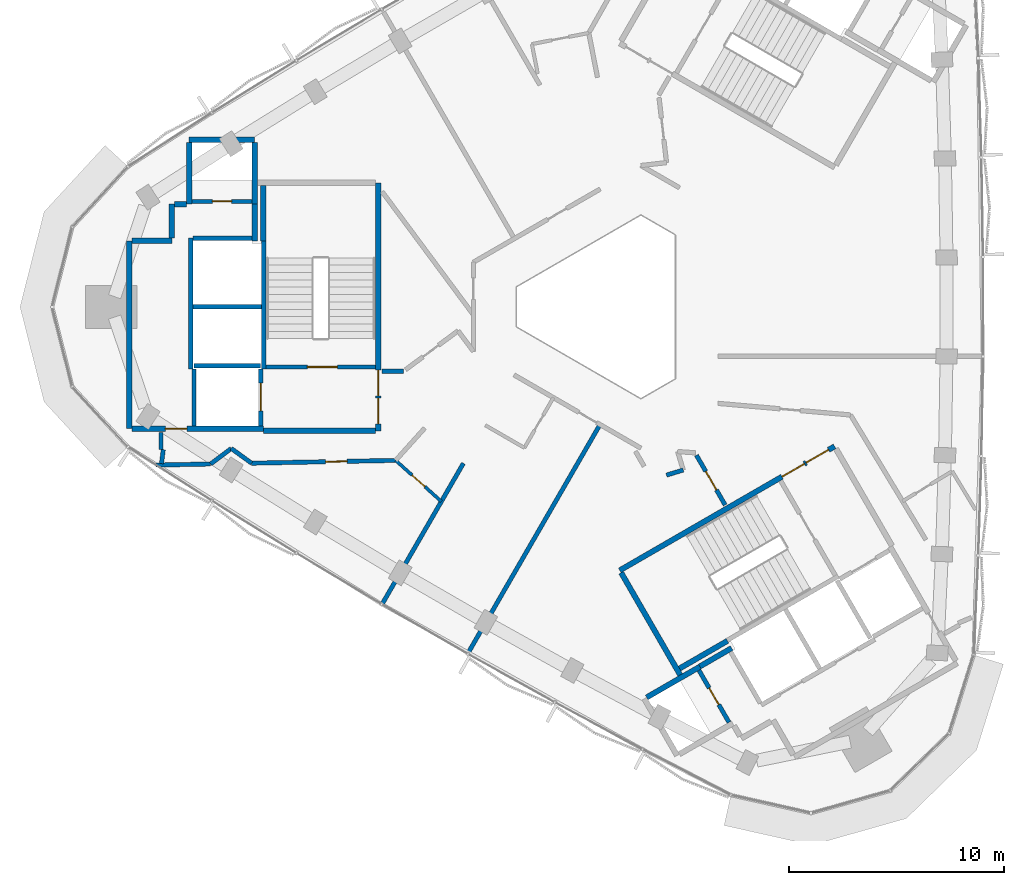
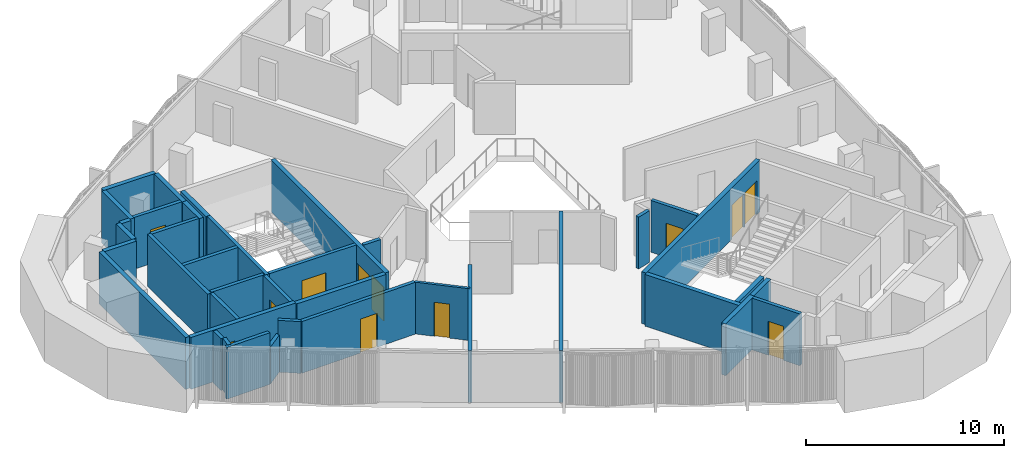
# One storey, part 6 of 13: 39 walls, 12 doors, 12 openings.
"""IFC4 building model written with IfcOpenShell, lengths in metres."""

from ifc_helpers import new_model, si_unit, direction, frame, frame_2d, origin, place, context, subcontext, project, spatial, rectangle, extrude, material, layer, layer_set, type_object, element, fill, save


model = new_model("IFC4")

# Units and contexts
model_context = context("Model", 3, precision=1e-05, world=origin(), true_north=direction((0.0, 1.0)))
body_context = subcontext(model_context, "Body", "Model", "MODEL_VIEW")
ifc_project = project(units=[si_unit("LENGTHUNIT", "METRE"), si_unit("AREAUNIT", "SQUARE_METRE"), si_unit("VOLUMEUNIT", "CUBIC_METRE"), si_unit("PLANEANGLEUNIT", "RADIAN"), si_unit("MASSUNIT", "GRAM", prefix="KILO")], contexts=[model_context])

# Site, building, storey
site_placement = place(None, origin())
site = spatial("IfcSite", under=ifc_project, at=site_placement, CompositionType="ELEMENT")
building_placement = place(site_placement, origin())
building = spatial("IfcBuilding", under=site, at=building_placement, Name="Tamra Quay Hotel Tower", CompositionType="ELEMENT")
storey_placement = place(building_placement, frame((0.0, 0.0, 298.199951171875)))
storey = spatial("IfcBuildingStorey", under=building, at=storey_placement, Name="L75", CompositionType="ELEMENT", Elevation=298.199951171875)

# Walls
ifc_material_1 = material(Name="Concrete M70", Category="concrete")
ifc_layer_1 = layer(ifc_material_1, 0.199951171875)
ifc_layer_set_1 = layer_set([ifc_layer_1], Name="Concrete M70 core wall 200")
wall_type_1 = type_object("IfcWallType", Name="Concrete M70 core wall 200", PredefinedType="SHEAR", material=ifc_layer_set_1)
wall_1_placement = place(storey_placement, frame((-16.162109375, 3.073974609375, 0.0), z_axis=(0.0, 0.0, 1.0), x_axis=(0.0, -1.0, 0.0)))
element("IfcWall", 1, at=wall_1_placement, inside=storey, type_object=wall_type_1, Name="CW2", PredefinedType="SHEAR", context=body_context, shape_type="SweptSolid", body=[
    extrude(rectangle(XDim=5.97412109375, YDim=0.199951171875, at=frame_2d((2.987060546875, 0.0))), origin(), (0.0, 0.0, 1.0), 3.199951171875),
])
wall_2_placement = place(storey_placement, frame((-19.5625, -2.900146484375, 0.0), z_axis=(0.0, 0.0, 1.0), x_axis=(0.0, 1.0, 0.0)))
element("IfcWall", 2, at=wall_2_placement, inside=storey, type_object=wall_type_1, Name="CW2", PredefinedType="SHEAR", context=body_context, shape_type="SweptSolid", body=[
    extrude(rectangle(XDim=6.100341796875, YDim=0.199951171875, at=frame_2d((3.05029296875, 0.0))), origin(), (0.0, 0.0, 1.0), 3.199951171875),
])

# Wall, opening, door
wall_3_placement = place(storey_placement, frame((-10.96337890625, -2.800048828125, 0.0), z_axis=(0.0, 0.0, 1.0), x_axis=(-1.0, 0.0, 0.0)))
wall_3 = element("IfcWall", 3, at=wall_3_placement, inside=storey, type_object=wall_type_1, Name="CW2", PredefinedType="SHEAR", context=body_context, shape_type="SweptSolid", body=[
    extrude(rectangle(XDim=5.097900390625, YDim=0.199951171875, at=frame_2d((2.548828125, 0.0))), origin(), (0.0, 0.0, 1.0), 3.199951171875),
])
opening_1_placement = place(wall_3_placement, frame((1.77392578125, 0.0, 0.0)))
opening_1 = element("IfcOpeningElement", 4, at=opening_1_placement, cuts=wall_3, Name="Opening FD2", PredefinedType="OPENING", context=body_context, shape_type="SweptSolid", body=[
    extrude(rectangle(XDim=1.39990234375, YDim=2.10009765625, at=frame_2d((0.699951171875, 1.050048828125))), frame((0.0, 0.10986328125, 0.0), z_axis=(0.0, -1.0, 0.0), x_axis=(1.0, 0.0, 0.0)), (0.0, 0.0, 1.0), 0.219970703125),
])
ifc_material_2 = material(Name="Core door FD2 1400x2100 LH")
door_type_1 = type_object("IfcDoorType", Name="Core door FD2 1400x2100 LH", OperationType="NOTDEFINED", PredefinedType="DOOR", material=ifc_material_2)
door_1_placement = place(opening_1_placement, origin())
door_1 = element("IfcDoor", 5, at=door_1_placement, inside=storey, type_object=door_type_1, Name="FD2", OperationType="SINGLE_SWING_LEFT", OverallHeight=2.10009765625, OverallWidth=1.39990234375, PredefinedType="DOOR", context=body_context, shape_type="SweptSolid", body=[
    extrude(rectangle(XDim=1.39990234375, YDim=2.10009765625, at=frame_2d((0.699951171875, 1.050048828125))), frame((0.0, 0.02490234375, 0.0), z_axis=(0.0, -1.0, 0.0), x_axis=(1.0, 0.0, 0.0)), (0.0, 0.0, 1.0), 0.050048828125),
])
fill(opening_1, door_1)

# Wall
wall_4_placement = place(storey_placement, frame((-16.26318359375, 0.0, 0.0), z_axis=(0.0, 0.0, 1.0), x_axis=(-1.0, 0.0, 0.0)))
element("IfcWall", 6, at=wall_4_placement, inside=storey, type_object=wall_type_1, Name="CW2", PredefinedType="SHEAR", context=body_context, shape_type="SweptSolid", body=[
    extrude(rectangle(XDim=3.1982421875, YDim=0.199951171875, at=frame_2d((1.59912109375, 0.0))), origin(), (0.0, 0.0, 1.0), 3.199951171875),
])

# Wall, opening, door
wall_5_placement = place(storey_placement, frame((-19.51123046875, 4.91015625, 0.0), z_axis=(0.0, 0.0, 1.0), x_axis=(1.0, 0.0, 0.0)))
wall_5 = element("IfcWall", 7, at=wall_5_placement, inside=storey, type_object=wall_type_1, Name="CW2", PredefinedType="SHEAR", context=body_context, shape_type="SweptSolid", body=[
    extrude(rectangle(XDim=2.7978515625, YDim=0.199951171875, at=frame_2d((1.39892578125, 0.0))), origin(), (0.0, 0.0, 1.0), 3.199951171875),
])
opening_2_placement = place(wall_5_placement, frame((0.948974609375, 0.0, 0.0)))
opening_2 = element("IfcOpeningElement", 8, at=opening_2_placement, cuts=wall_5, Name="Opening D1", PredefinedType="OPENING", context=body_context, shape_type="SweptSolid", body=[
    extrude(rectangle(XDim=0.89990234375, YDim=2.10009765625, at=frame_2d((0.449951171875, 1.050048828125))), frame((0.0, 0.10986328125, 0.0), z_axis=(0.0, -1.0, 0.0), x_axis=(1.0, 0.0, 0.0)), (0.0, 0.0, 1.0), 0.219970703125),
])
ifc_material_3 = material(Name="Core door D1 900x2100 RH")
door_type_2 = type_object("IfcDoorType", Name="Core door D1 900x2100 RH", OperationType="NOTDEFINED", PredefinedType="DOOR", material=ifc_material_3)
door_2_placement = place(opening_2_placement, origin())
door_2 = element("IfcDoor", 9, at=door_2_placement, inside=storey, type_object=door_type_2, Name="D1", OperationType="SINGLE_SWING_RIGHT", OverallHeight=2.10009765625, OverallWidth=0.89990234375, PredefinedType="DOOR", context=body_context, shape_type="SweptSolid", body=[
    extrude(rectangle(XDim=0.89990234375, YDim=2.10009765625, at=frame_2d((0.449951171875, 1.050048828125))), frame((0.0, 0.02490234375, 0.0), z_axis=(0.0, -1.0, 0.0), x_axis=(1.0, 0.0, 0.0)), (0.0, 0.0, 1.0), 0.050048828125),
])
fill(opening_2, door_2)

# Walls
wall_6_placement = place(storey_placement, frame((-19.46240234375, 3.2001953125, 0.0), z_axis=(0.0, 0.0, 1.0), x_axis=(1.0, 0.0, 0.0)))
element("IfcWall", 10, at=wall_6_placement, inside=storey, type_object=wall_type_1, Name="CW2", PredefinedType="SHEAR", context=body_context, shape_type="SweptSolid", body=[
    extrude(rectangle(XDim=2.759033203125, YDim=0.199951171875, at=frame_2d((1.37939453125, 0.0))), origin(), (0.0, 0.0, 1.0), 3.199951171875),
])
wall_7_placement = place(storey_placement, frame((-19.412353515625, -2.75, 0.0), z_axis=(0.0, 0.0, 1.0), x_axis=(1.0, 0.0, 0.0)))
element("IfcWall", 11, at=wall_7_placement, inside=storey, type_object=wall_type_1, Name="CW2", PredefinedType="SHEAR", context=body_context, shape_type="SweptSolid", body=[
    extrude(rectangle(XDim=3.10009765625, YDim=0.199951171875, at=frame_2d((1.550048828125, 0.0))), origin(), (0.0, 0.0, 1.0), 3.199951171875),
])

# Wall, opening, door
wall_8_placement = place(storey_placement, frame((-16.312255859375, -2.898193359375, 0.0), z_axis=(0.0, 0.0, 1.0), x_axis=(0.0, -1.0, 0.0)))
wall_8 = element("IfcWall", 12, at=wall_8_placement, inside=storey, type_object=wall_type_1, Name="CW2", PredefinedType="SHEAR", context=body_context, shape_type="SweptSolid", body=[
    extrude(rectangle(XDim=2.65087890625, YDim=0.199951171875, at=frame_2d((1.325439453125, 0.0))), origin(), (0.0, 0.0, 1.0), 3.199951171875),
])
opening_3_placement = place(wall_8_placement, frame((0.65185546875, 0.0, 0.0)))
opening_3 = element("IfcOpeningElement", 13, at=opening_3_placement, cuts=wall_8, Name="Opening LD", PredefinedType="OPENING", context=body_context, shape_type="SweptSolid", body=[
    extrude(rectangle(XDim=1.300048828125, YDim=2.10009765625, at=frame_2d((0.64990234375, 1.050048828125))), frame((0.0, 0.10986328125, 0.0), z_axis=(0.0, -1.0, 0.0), x_axis=(1.0, 0.0, 0.0)), (0.0, 0.0, 1.0), 0.219970703125),
])
ifc_material_4 = material(Name="Landing door LD 1300 sliding to left")
door_type_3 = type_object("IfcDoorType", Name="Landing door LD 1300 sliding to left", OperationType="NOTDEFINED", PredefinedType="DOOR", material=ifc_material_4)
door_3_placement = place(opening_3_placement, origin())
door_3 = element("IfcDoor", 14, at=door_3_placement, inside=storey, type_object=door_type_3, Name="LD", OperationType="SLIDING_TO_LEFT", OverallHeight=2.10009765625, OverallWidth=1.300048828125, PredefinedType="DOOR", context=body_context, shape_type="SweptSolid", body=[
    extrude(rectangle(XDim=1.300048828125, YDim=2.10009765625, at=frame_2d((0.64990234375, 1.050048828125))), frame((0.0, 0.02490234375, 0.0), z_axis=(0.0, -1.0, 0.0), x_axis=(1.0, 0.0, 0.0)), (0.0, 0.0, 1.0), 0.050048828125),
])
fill(opening_3, door_3)

# Wall
wall_9_placement = place(storey_placement, frame((-19.412353515625, -5.549072265625, 0.0), z_axis=(0.0, 0.0, 1.0), x_axis=(0.0, 1.0, 0.0)))
element("IfcWall", 15, at=wall_9_placement, inside=storey, type_object=wall_type_1, Name="CW2", PredefinedType="SHEAR", context=body_context, shape_type="SweptSolid", body=[
    extrude(rectangle(XDim=2.65087890625, YDim=0.199951171875, at=frame_2d((1.325439453125, 0.0))), origin(), (0.0, 0.0, 1.0), 3.199951171875),
])

# Wall, opening, door
wall_10_placement = place(storey_placement, frame((5.50341796875, -19.352294921875, 0.0), z_axis=(0.0, 0.0, 1.0), x_axis=(-0.499986818241, 0.866033014143, 0.0)))
wall_10 = element("IfcWall", 16, at=wall_10_placement, inside=storey, type_object=wall_type_1, Name="CW2", PredefinedType="SHEAR", context=body_context, shape_type="SweptSolid", body=[
    extrude(rectangle(XDim=2.7978515625, YDim=0.199951171875, at=frame_2d((1.39892578125, 0.0))), origin(), (0.0, 0.0, 1.0), 3.199951171875),
])
opening_4_placement = place(wall_10_placement, frame((0.948974609375, 0.0, 0.0)))
opening_4 = element("IfcOpeningElement", 17, at=opening_4_placement, cuts=wall_10, Name="Opening D1", PredefinedType="OPENING", context=body_context, shape_type="SweptSolid", body=[
    extrude(rectangle(XDim=0.89990234375, YDim=2.10009765625, at=frame_2d((0.449951171875, 1.050048828125))), frame((0.0, 0.10986328125, 0.0), z_axis=(0.0, -1.0, 0.0), x_axis=(1.0, 0.0, 0.0)), (0.0, 0.0, 1.0), 0.219970703125),
])
ifc_material_5 = material(Name="Core door D1 900x2100 LH")
door_type_4 = type_object("IfcDoorType", Name="Core door D1 900x2100 LH", OperationType="NOTDEFINED", PredefinedType="DOOR", material=ifc_material_5)
door_4_placement = place(opening_4_placement, origin())
door_4 = element("IfcDoor", 18, at=door_4_placement, inside=storey, type_object=door_type_4, Name="D1", OperationType="SINGLE_SWING_LEFT", OverallHeight=2.10009765625, OverallWidth=0.89990234375, PredefinedType="DOOR", context=body_context, shape_type="SweptSolid", body=[
    extrude(rectangle(XDim=0.89990234375, YDim=2.10009765625, at=frame_2d((0.449951171875, 1.050048828125))), frame((0.0, 0.02490234375, 0.0), z_axis=(0.0, -1.0, 0.0), x_axis=(1.0, 0.0, 0.0)), (0.0, 0.0, 1.0), 0.050048828125),
])
fill(opening_4, door_4)

# Wall, openings, doors
ifc_layer_2 = layer(ifc_material_1, 0.25)
ifc_layer_set_2 = layer_set([ifc_layer_2], Name="Concrete M70 core wall 250")
wall_type_2 = type_object("IfcWallType", Name="Concrete M70 core wall 250", PredefinedType="SHEAR", material=ifc_layer_set_2)
wall_11_placement = place(storey_placement, frame((-10.83740234375, 5.77490234375, 0.0), z_axis=(0.0, 0.0, 1.0), x_axis=(0.0, -1.0, 0.0)))
wall_11 = element("IfcWall", 19, at=wall_11_placement, inside=storey, type_object=wall_type_2, Name="CW1", PredefinedType="SHEAR", context=body_context, shape_type="SweptSolid", body=[
    extrude(rectangle(XDim=11.5498046875, YDim=0.25, at=frame_2d((5.77490234375, 0.0))), origin(), (0.0, 0.0, 1.0), 3.199951171875),
])
opening_5_placement = place(wall_11_placement, frame((10.02490234375, 0.0, 0.0)))
opening_5 = element("IfcOpeningElement", 20, at=opening_5_placement, cuts=wall_11, Name="Opening FD1", PredefinedType="OPENING", context=body_context, shape_type="SweptSolid", body=[
    extrude(rectangle(XDim=1.199951171875, YDim=2.10009765625, at=frame_2d((0.60009765625, 1.050048828125))), frame((0.0, 0.135009765625, 0.0), z_axis=(0.0, -1.0, 0.0), x_axis=(1.0, 0.0, 0.0)), (0.0, 0.0, 1.0), 0.27001953125),
])
opening_6_placement = place(wall_11_placement, frame((8.72509765625, 0.0, 0.0)))
opening_6 = element("IfcOpeningElement", 21, at=opening_6_placement, cuts=wall_11, Name="Opening FD1", PredefinedType="OPENING", context=body_context, shape_type="SweptSolid", body=[
    extrude(rectangle(XDim=1.199951171875, YDim=2.10009765625, at=frame_2d((0.60009765625, 1.050048828125))), frame((0.0, 0.135009765625, 0.0), z_axis=(0.0, -1.0, 0.0), x_axis=(1.0, 0.0, 0.0)), (0.0, 0.0, 1.0), 0.27001953125),
])
ifc_material_6 = material(Name="Core door FD1 1200x2100 LH")
door_type_5 = type_object("IfcDoorType", Name="Core door FD1 1200x2100 LH", OperationType="NOTDEFINED", PredefinedType="DOOR", material=ifc_material_6)
door_5_placement = place(opening_5_placement, origin())
door_5 = element("IfcDoor", 22, at=door_5_placement, inside=storey, type_object=door_type_5, Name="FD1", OperationType="SINGLE_SWING_LEFT", OverallHeight=2.10009765625, OverallWidth=1.199951171875, PredefinedType="DOOR", context=body_context, shape_type="SweptSolid", body=[
    extrude(rectangle(XDim=1.199951171875, YDim=2.10009765625, at=frame_2d((0.60009765625, 1.050048828125))), frame((0.0, 0.02490234375, 0.0), z_axis=(0.0, -1.0, 0.0), x_axis=(1.0, 0.0, 0.0)), (0.0, 0.0, 1.0), 0.050048828125),
])
fill(opening_5, door_5)
ifc_material_7 = material(Name="Core door FD1 1200x2100 RH")
door_type_6 = type_object("IfcDoorType", Name="Core door FD1 1200x2100 RH", OperationType="NOTDEFINED", PredefinedType="DOOR", material=ifc_material_7)
door_6_placement = place(opening_6_placement, origin())
door_6 = element("IfcDoor", 23, at=door_6_placement, inside=storey, type_object=door_type_6, Name="FD1", OperationType="SINGLE_SWING_RIGHT", OverallHeight=2.10009765625, OverallWidth=1.199951171875, PredefinedType="DOOR", context=body_context, shape_type="SweptSolid", body=[
    extrude(rectangle(XDim=1.199951171875, YDim=2.10009765625, at=frame_2d((0.60009765625, 1.050048828125))), frame((0.0, 0.02490234375, 0.0), z_axis=(0.0, -1.0, 0.0), x_axis=(1.0, 0.0, 0.0)), (0.0, 0.0, 1.0), 0.050048828125),
])
fill(opening_6, door_6)

# Wall
wall_12_placement = place(storey_placement, frame((-22.437255859375, -5.675048828125, 0.0), z_axis=(0.0, 0.0, 1.0), x_axis=(0.0, 1.0, 0.0)))
element("IfcWall", 24, at=wall_12_placement, inside=storey, type_object=wall_type_2, Name="CW1", PredefinedType="SHEAR", context=body_context, shape_type="SweptSolid", body=[
    extrude(rectangle(XDim=8.75, YDim=0.25, at=frame_2d((4.375, 0.0))), origin(), (0.0, 0.0, 1.0), 3.199951171875),
])

# Wall, opening, door
wall_13_placement = place(storey_placement, frame((-16.187255859375, -5.675048828125, 0.0), z_axis=(0.0, 0.0, 1.0), x_axis=(-1.0, 0.0, 0.0)))
wall_13 = element("IfcWall", 25, at=wall_13_placement, inside=storey, type_object=wall_type_2, Name="CW1", PredefinedType="SHEAR", context=body_context, shape_type="SweptSolid", body=[
    extrude(rectangle(XDim=6.12451171875, YDim=0.25, at=frame_2d((3.062255859375, 0.0))), origin(), (0.0, 0.0, 1.0), 3.199951171875),
])
opening_7_placement = place(wall_13_placement, frame((3.562744140625, 0.0, 0.0)))
opening_7 = element("IfcOpeningElement", 26, at=opening_7_placement, cuts=wall_13, Name="Opening FD3", PredefinedType="OPENING", context=body_context, shape_type="SweptSolid", body=[
    extrude(rectangle(XDim=1.0, YDim=2.10009765625, at=frame_2d((0.5, 1.050048828125))), frame((0.0, 0.135009765625, 0.0), z_axis=(0.0, -1.0, 0.0), x_axis=(1.0, 0.0, 0.0)), (0.0, 0.0, 1.0), 0.27001953125),
])
ifc_material_8 = material(Name="Core door FD3 1000x2100 LH")
door_type_7 = type_object("IfcDoorType", Name="Core door FD3 1000x2100 LH", OperationType="NOTDEFINED", PredefinedType="DOOR", material=ifc_material_8)
door_7_placement = place(opening_7_placement, origin())
door_7 = element("IfcDoor", 27, at=door_7_placement, inside=storey, type_object=door_type_7, Name="FD3", OperationType="SINGLE_SWING_LEFT", OverallHeight=2.10009765625, OverallWidth=1.0, PredefinedType="DOOR", context=body_context, shape_type="SweptSolid", body=[
    extrude(rectangle(XDim=1.0, YDim=2.10009765625, at=frame_2d((0.5, 1.050048828125))), frame((0.0, 0.02490234375, 0.0), z_axis=(0.0, -1.0, 0.0), x_axis=(1.0, 0.0, 0.0)), (0.0, 0.0, 1.0), 0.050048828125),
])
fill(opening_7, door_7)

# Walls
wall_14_placement = place(storey_placement, frame((-10.962646484375, -5.77490234375, 0.0), z_axis=(0.0, 0.0, 1.0), x_axis=(-1.0, 0.0, 0.0)))
element("IfcWall", 28, at=wall_14_placement, inside=storey, type_object=wall_type_2, Name="CW1", PredefinedType="SHEAR", context=body_context, shape_type="SweptSolid", body=[
    extrude(rectangle(XDim=5.224609375, YDim=0.25, at=frame_2d((2.6123046875, 0.0))), origin(), (0.0, 0.0, 1.0), 3.199951171875),
])
wall_15_placement = place(storey_placement, frame((-19.63720703125, 7.77490234375, 0.0), z_axis=(0.0, 0.0, 1.0), x_axis=(1.0, 0.0, 0.0)))
element("IfcWall", 29, at=wall_15_placement, inside=storey, type_object=wall_type_2, Name="CW1", PredefinedType="SHEAR", context=body_context, shape_type="SweptSolid", body=[
    extrude(rectangle(XDim=3.0498046875, YDim=0.25, at=frame_2d((1.52490234375, 0.0))), origin(), (0.0, 0.0, 1.0), 3.199951171875),
])
for number, where, z_axis, x_axis, name in (
    (30, (-16.58740234375, 7.649658203125, 0.0), (0.0, 0.0, 1.0), (0.0, -1.0, 0.0), "CW1"),
    (31, (-19.63720703125, 4.784912109375, 0.0), (0.0, 0.0, 1.0), (0.0, 1.0, 0.0), "CW1"),
):
    element("IfcWall", number, at=place(storey_placement, frame(where, z_axis=z_axis, x_axis=x_axis)), inside=storey, type_object=wall_type_2, Name=name, PredefinedType="SHEAR", context=body_context, shape_type="SweptSolid", body=[
        extrude(rectangle(XDim=2.86474609375, YDim=0.25, at=frame_2d((1.432373046875, 0.0))), origin(), (0.0, 0.0, 1.0), 3.199951171875),
    ])
wall_16_placement = place(storey_placement, frame((-16.187255859375, 3.074951171875, 0.0), z_axis=(0.0, 0.0, 1.0), x_axis=(0.0, 1.0, 0.0)))
element("IfcWall", 32, at=wall_16_placement, inside=storey, type_object=wall_type_2, Name="CW1", PredefinedType="SHEAR", context=body_context, shape_type="SweptSolid", body=[
    extrude(rectangle(XDim=2.57470703125, YDim=0.25, at=frame_2d((1.287353515625, 0.0))), origin(), (0.0, 0.0, 1.0), 3.199951171875),
])
wall_17_placement = place(storey_placement, frame((-22.311767578125, 3.074951171875, 0.0), z_axis=(0.0, 0.0, 1.0), x_axis=(1.0, 0.0, 0.0)))
element("IfcWall", 33, at=wall_17_placement, inside=storey, type_object=wall_type_2, Name="CW1", PredefinedType="SHEAR", context=body_context, shape_type="SweptSolid", body=[
    extrude(rectangle(XDim=1.864501953125, YDim=0.25, at=frame_2d((0.93212890625, 0.0))), origin(), (0.0, 0.0, 1.0), 3.199951171875),
])
wall_18_placement = place(storey_placement, frame((-16.577392578125, 4.784912109375, 0.0), z_axis=(0.0, 0.0, 1.0), x_axis=(0.0, -1.0, 0.0)))
element("IfcWall", 34, at=wall_18_placement, inside=storey, type_object=wall_type_2, Name="CW1", PredefinedType="SHEAR", context=body_context, shape_type="SweptSolid", body=[
    extrude(rectangle(XDim=1.7099609375, YDim=0.25, at=frame_2d((0.85498046875, 0.0))), origin(), (0.0, 0.0, 1.0), 3.199951171875),
])
wall_19_placement = place(storey_placement, frame((-20.447265625, 3.200439453125, 0.0), z_axis=(0.0, 0.0, 1.0), x_axis=(0.0, 1.0, 0.0)))
element("IfcWall", 35, at=wall_19_placement, inside=storey, type_object=wall_type_2, Name="CW1", PredefinedType="SHEAR", context=body_context, shape_type="SweptSolid", body=[
    extrude(rectangle(XDim=1.58447265625, YDim=0.25, at=frame_2d((0.792236328125, 0.0))), origin(), (0.0, 0.0, 1.0), 3.199951171875),
])
wall_20_placement = place(storey_placement, frame((-20.32177734375, 4.784912109375, 0.0), z_axis=(0.0, 0.0, 1.0), x_axis=(1.0, 0.0, 0.0)))
element("IfcWall", 36, at=wall_20_placement, inside=storey, type_object=wall_type_2, Name="CW1", PredefinedType="SHEAR", context=body_context, shape_type="SweptSolid", body=[
    extrude(rectangle(XDim=0.55908203125, YDim=0.25, at=frame_2d((0.279541015625, 0.0))), origin(), (0.0, 0.0, 1.0), 3.199951171875),
])

# Wall, openings, doors
wall_21_placement = place(storey_placement, frame((0.417236328125, -12.27294921875, 0.0), z_axis=(0.0, 0.0, 1.0), x_axis=(0.866021906294, 0.500006057782, 0.0)))
wall_21 = element("IfcWall", 37, at=wall_21_placement, inside=storey, type_object=wall_type_2, Name="CW1", PredefinedType="SHEAR", context=body_context, shape_type="SweptSolid", body=[
    extrude(rectangle(XDim=11.550048828125, YDim=0.25, at=frame_2d((5.77490234375, 0.0))), origin(), (0.0, 0.0, 1.0), 3.199951171875),
])
opening_8_placement = place(wall_21_placement, frame((10.024658203125, 0.0, 0.0)))
opening_8 = element("IfcOpeningElement", 38, at=opening_8_placement, cuts=wall_21, Name="Opening FD1", PredefinedType="OPENING", context=body_context, shape_type="SweptSolid", body=[
    extrude(rectangle(XDim=1.199951171875, YDim=2.10009765625, at=frame_2d((0.60009765625, 1.050048828125))), frame((0.0, 0.135009765625, 0.0), z_axis=(0.0, -1.0, 0.0), x_axis=(1.0, 0.0, 0.0)), (0.0, 0.0, 1.0), 0.27001953125),
])
opening_9_placement = place(wall_21_placement, frame((8.724609375, 0.0, 0.0)))
opening_9 = element("IfcOpeningElement", 39, at=opening_9_placement, cuts=wall_21, Name="Opening FD1", PredefinedType="OPENING", context=body_context, shape_type="SweptSolid", body=[
    extrude(rectangle(XDim=1.199951171875, YDim=2.10009765625, at=frame_2d((0.60009765625, 1.050048828125))), frame((0.0, 0.135009765625, 0.0), z_axis=(0.0, -1.0, 0.0), x_axis=(1.0, 0.0, 0.0)), (0.0, 0.0, 1.0), 0.27001953125),
])
door_8_placement = place(opening_8_placement, origin())
door_8 = element("IfcDoor", 40, at=door_8_placement, inside=storey, type_object=door_type_5, Name="FD1", OperationType="SINGLE_SWING_LEFT", OverallHeight=2.10009765625, OverallWidth=1.199951171875, PredefinedType="DOOR", context=body_context, shape_type="SweptSolid", body=[
    extrude(rectangle(XDim=1.199951171875, YDim=2.10009765625, at=frame_2d((0.60009765625, 1.050048828125))), frame((0.0, 0.02490234375, 0.0), z_axis=(0.0, -1.0, 0.0), x_axis=(1.0, 0.0, 0.0)), (0.0, 0.0, 1.0), 0.050048828125),
])
fill(opening_8, door_8)
door_9_placement = place(opening_9_placement, origin())
door_9 = element("IfcDoor", 41, at=door_9_placement, inside=storey, type_object=door_type_6, Name="FD1", OperationType="SINGLE_SWING_RIGHT", OverallHeight=2.10009765625, OverallWidth=1.199951171875, PredefinedType="DOOR", context=body_context, shape_type="SweptSolid", body=[
    extrude(rectangle(XDim=1.199951171875, YDim=2.10009765625, at=frame_2d((0.60009765625, 1.050048828125))), frame((0.0, 0.02490234375, 0.0), z_axis=(0.0, -1.0, 0.0), x_axis=(1.0, 0.0, 0.0)), (0.0, 0.0, 1.0), 0.050048828125),
])
fill(opening_9, door_9)

# Walls
wall_22_placement = place(storey_placement, frame((3.23486328125, -17.15283203125, 0.0), z_axis=(0.0, 0.0, 1.0), x_axis=(-0.500008851346, 0.866020293397, 0.0)))
element("IfcWall", 42, at=wall_22_placement, inside=storey, type_object=wall_type_2, Name="CW1", PredefinedType="SHEAR", context=body_context, shape_type="SweptSolid", body=[
    extrude(rectangle(XDim=5.509765625, YDim=0.25, at=frame_2d((2.7548828125, 0.0))), origin(), (0.0, 0.0, 1.0), 3.199951171875),
])
wall_23_placement = place(storey_placement, frame((1.6689453125, -18.189697265625, 0.0), z_axis=(0.0, 0.0, 1.0), x_axis=(0.866042235819, 0.499970844928, 0.0)))
element("IfcWall", 43, at=wall_23_placement, inside=storey, type_object=wall_type_2, Name="CW1", PredefinedType="SHEAR", context=body_context, shape_type="SweptSolid", body=[
    extrude(rectangle(XDim=2.864501953125, YDim=0.25, at=frame_2d((1.43212890625, 0.0))), origin(), (0.0, 0.0, 1.0), 3.199951171875),
])
wall_24_placement = place(storey_placement, frame((5.4306640625, -15.55615234375, 0.0), z_axis=(0.0, 0.0, 1.0), x_axis=(-0.866022940537, -0.500004266446, 0.0)))
element("IfcWall", 44, at=wall_24_placement, inside=storey, type_object=wall_type_2, Name="CW1", PredefinedType="SHEAR", context=body_context, shape_type="SweptSolid", body=[
    extrude(rectangle(XDim=2.57470703125, YDim=0.25, at=frame_2d((1.287353515625, 0.0))), origin(), (0.0, 0.0, 1.0), 3.199951171875),
])
wall_25_placement = place(storey_placement, frame((4.144775390625, -16.748779296875, 0.0), z_axis=(0.0, 0.0, 1.0), x_axis=(0.866038183914, 0.499977863513, 0.0)))
element("IfcWall", 45, at=wall_25_placement, inside=storey, type_object=wall_type_2, Name="CW1", PredefinedType="SHEAR", context=body_context, shape_type="SweptSolid", body=[
    extrude(rectangle(XDim=1.7099609375, YDim=0.25, at=frame_2d((0.85498046875, 0.0))), origin(), (0.0, 0.0, 1.0), 3.199951171875),
])
ifc_material_9 = material(Name="Partition corridor wall")
ifc_layer_3 = layer(ifc_material_9, 0.199951171875)
ifc_layer_set_3 = layer_set([ifc_layer_3], Name="Partition corridor wall")
wall_type_3 = type_object("IfcWallType", Name="Partition corridor wall", PredefinedType="PARTITIONING", material=ifc_layer_set_3)
wall_26_placement = place(storey_placement, frame((-20.949951171875, -6.64990234375, 0.0), z_axis=(0.0, 0.0, 1.0), x_axis=(0.0, 1.0, 0.0)))
element("IfcWall", 46, at=wall_26_placement, inside=storey, type_object=wall_type_3, Name="W-C", PredefinedType="PARTITIONING", context=body_context, shape_type="SweptSolid", body=[
    extrude(rectangle(XDim=0.789794921875, YDim=0.199951171875, at=frame_2d((0.39501953125, 0.0))), origin(), (0.0, 0.0, 1.0), 3.199951171875),
])
wall_27_placement = place(storey_placement, frame((-20.928955078125, -7.304931640625, 0.0), z_axis=(0.0, 0.0, 1.0), x_axis=(0.125718385971, 0.992065969293, 0.0)))
element("IfcWall", 47, at=wall_27_placement, inside=storey, type_object=wall_type_3, Name="W-C", PredefinedType="PARTITIONING", context=body_context, shape_type="SweptSolid", body=[
    extrude(rectangle(XDim=0.66015625, YDim=0.199951171875, at=frame_2d((0.330078125, 0.0))), origin(), (0.0, 0.0, 1.0), 3.199951171875),
])
wall_28_placement = place(storey_placement, frame((-21.177001953125, -7.368896484375, 0.0), z_axis=(0.0, 0.0, 1.0), x_axis=(0.999808930271, 0.019547453804, 0.0)))
element("IfcWall", 48, at=wall_28_placement, inside=storey, type_object=wall_type_3, Name="W-C", PredefinedType="PARTITIONING", context=body_context, shape_type="SweptSolid", body=[
    extrude(rectangle(XDim=2.535400390625, YDim=0.199951171875, at=frame_2d((1.267578125, 0.0))), origin(), (0.0, 0.0, 1.0), 3.199951171875),
])
wall_29_placement = place(storey_placement, frame((-18.64208984375, -7.319091796875, 0.0), z_axis=(0.0, 0.0, 1.0), x_axis=(0.798707882989, 0.601718968998, 0.0)))
element("IfcWall", 49, at=wall_29_placement, inside=storey, type_object=wall_type_3, Name="W-C", PredefinedType="PARTITIONING", context=body_context, shape_type="SweptSolid", body=[
    extrude(rectangle(XDim=1.203369140625, YDim=0.199951171875, at=frame_2d((0.6015625, 0.0))), origin(), (0.0, 0.0, 1.0), 2.2900390625),
])
wall_30_placement = place(storey_placement, frame((-17.680908203125, -6.594970703125, 0.0), z_axis=(0.0, 0.0, 1.0), x_axis=(0.810123213102, -0.586259652026, 0.0)))
element("IfcWall", 50, at=wall_30_placement, inside=storey, type_object=wall_type_3, Name="W-C", PredefinedType="PARTITIONING", context=body_context, shape_type="SweptSolid", body=[
    extrude(rectangle(XDim=1.170166015625, YDim=0.199951171875, at=frame_2d((0.5849609375, 0.0))), origin(), (0.0, 0.0, 1.0), 3.199951171875),
])

# Wall, opening, door
wall_31_placement = place(storey_placement, frame((-16.73193359375, -7.281982421875, 0.0), z_axis=(0.0, 0.0, 1.0), x_axis=(0.999809119854, 0.019537754635, 0.0)))
wall_31 = element("IfcWall", 51, at=wall_31_placement, inside=storey, type_object=wall_type_3, Name="W-C", PredefinedType="PARTITIONING", context=body_context, shape_type="SweptSolid", body=[
    extrude(rectangle(XDim=6.710205078125, YDim=0.199951171875, at=frame_2d((3.35498046875, 0.0))), origin(), (0.0, 0.0, 1.0), 3.199951171875),
])
opening_10_placement = place(wall_31_placement, frame((3.451171875, 0.0, 0.0)))
opening_10 = element("IfcOpeningElement", 52, at=opening_10_placement, cuts=wall_31, Name="Opening L75-D009", PredefinedType="OPENING", context=body_context, shape_type="SweptSolid", body=[
    extrude(rectangle(XDim=1.0, YDim=2.10009765625, at=frame_2d((0.5, 1.050048828125))), frame((0.0, 0.10986328125, 0.0), z_axis=(0.0, -1.0, 0.0), x_axis=(1.0, 0.0, 0.0)), (0.0, 0.0, 1.0), 0.219970703125),
])
ifc_material_10 = material(Name="Door guest room 1000x2100")
door_type_8 = type_object("IfcDoorType", Name="Door guest room 1000x2100", OperationType="NOTDEFINED", PredefinedType="DOOR", material=ifc_material_10)
door_10_placement = place(opening_10_placement, frame((1.0, 0.0, 0.0), z_axis=(0.0, 0.0, 1.0), x_axis=(-1.0, 0.0, 0.0)))
door_10 = element("IfcDoor", 53, at=door_10_placement, inside=storey, type_object=door_type_8, Name="L75-D009", OperationType="SINGLE_SWING_LEFT", OverallHeight=2.10009765625, OverallWidth=1.0, PredefinedType="DOOR", context=body_context, shape_type="SweptSolid", body=[
    extrude(rectangle(XDim=1.0, YDim=2.10009765625, at=frame_2d((0.5, 1.050048828125))), frame((0.0, 0.02490234375, 0.0), z_axis=(0.0, -1.0, 0.0), x_axis=(1.0, 0.0, 0.0)), (0.0, 0.0, 1.0), 0.050048828125),
])
fill(opening_10, door_10)

# Walls
wall_32_placement = place(storey_placement, frame((-10.65234375, -3.0, 0.0), z_axis=(0.0, 0.0, 1.0), x_axis=(1.0, 0.0, 0.0)))
element("IfcWall", 54, at=wall_32_placement, inside=storey, type_object=wall_type_3, Name="W-C", PredefinedType="PARTITIONING", context=body_context, shape_type="SweptSolid", body=[
    extrude(rectangle(XDim=0.994384765625, YDim=0.199951171875, at=frame_2d((0.4970703125, 0.0))), origin(), (0.0, 0.0, 1.0), 3.199951171875),
])
wall_33_placement = place(storey_placement, frame((2.591064453125, -7.8369140625, 0.0), z_axis=(0.0, 0.0, 1.0), x_axis=(0.956974070788, 0.290173444409, 0.0)))
element("IfcWall", 55, at=wall_33_placement, inside=storey, type_object=wall_type_3, Name="W-C", PredefinedType="PARTITIONING", context=body_context, shape_type="SweptSolid", body=[
    extrude(rectangle(XDim=0.816162109375, YDim=0.199951171875, at=frame_2d((0.408203125, 0.0))), origin(), (0.0, 0.0, 1.0), 3.199951171875),
])

# Wall, opening, door
wall_34_placement = place(storey_placement, frame((3.987060546875, -6.910888671875, 0.0), z_axis=(0.0, 0.0, 1.0), x_axis=(0.499458942258, -0.866337558345, 0.0)))
wall_34 = element("IfcWall", 56, at=wall_34_placement, inside=storey, type_object=wall_type_3, Name="W-C", PredefinedType="PARTITIONING", context=body_context, shape_type="SweptSolid", body=[
    extrude(rectangle(XDim=2.673828125, YDim=0.199951171875, at=frame_2d((1.3369140625, 0.0))), origin(), (0.0, 0.0, 1.0), 3.199951171875),
])
opening_11_placement = place(wall_34_placement, frame((0.8671875, 0.0, 0.0)))
opening_11 = element("IfcOpeningElement", 57, at=opening_11_placement, cuts=wall_34, Name="Opening L75-D013", PredefinedType="OPENING", context=body_context, shape_type="SweptSolid", body=[
    extrude(rectangle(XDim=1.0, YDim=2.10009765625, at=frame_2d((0.5, 1.050048828125))), frame((0.0, 0.10986328125, 0.0), z_axis=(0.0, -1.0, 0.0), x_axis=(1.0, 0.0, 0.0)), (0.0, 0.0, 1.0), 0.219970703125),
])
door_11_placement = place(opening_11_placement, frame((1.0, 0.0, 0.0), z_axis=(0.0, 0.0, 1.0), x_axis=(-1.0, 0.0, 0.0)))
door_11 = element("IfcDoor", 58, at=door_11_placement, inside=storey, type_object=door_type_8, Name="L75-D013", OperationType="SINGLE_SWING_LEFT", OverallHeight=2.10009765625, OverallWidth=1.0, PredefinedType="DOOR", context=body_context, shape_type="SweptSolid", body=[
    extrude(rectangle(XDim=1.0, YDim=2.10009765625, at=frame_2d((0.5, 1.050048828125))), frame((0.0, 0.02490234375, 0.0), z_axis=(0.0, -1.0, 0.0), x_axis=(1.0, 0.0, 0.0)), (0.0, 0.0, 1.0), 0.050048828125),
])
fill(opening_11, door_11)

ifc_material_11 = material(Name="Partition en-suite wall")
ifc_layer_4 = layer(ifc_material_11, 0.14990234375)
ifc_layer_set_4 = layer_set([ifc_layer_4], Name="Partition en-suite wall")
wall_type_4 = type_object("IfcWallType", Name="Partition en-suite wall", PredefinedType="PARTITIONING", material=ifc_layer_set_4)
wall_35_placement = place(storey_placement, frame((-10.02294921875, -7.15087890625, 0.0), z_axis=(0.0, 0.0, 1.0), x_axis=(0.743463699468, -0.668776291127, 0.0)))
wall_35 = element("IfcWall", 59, at=wall_35_placement, inside=storey, type_object=wall_type_4, Name="W-E", PredefinedType="PARTITIONING", context=body_context, shape_type="SweptSolid", body=[
    extrude(rectangle(XDim=2.863525390625, YDim=0.14990234375, at=frame_2d((1.431640625, 0.0))), origin(), (0.0, 0.0, 1.0), 3.199951171875),
])
opening_12_placement = place(wall_35_placement, frame((1.03173828125, 0.0, 0.0)))
opening_12 = element("IfcOpeningElement", 60, at=opening_12_placement, cuts=wall_35, Name="Opening L75-D010", PredefinedType="OPENING", context=body_context, shape_type="SweptSolid", body=[
    extrude(rectangle(XDim=0.800048828125, YDim=2.10009765625, at=frame_2d((0.39990234375, 1.050048828125))), frame((0.0, 0.0849609375, 0.0), z_axis=(0.0, -1.0, 0.0), x_axis=(1.0, 0.0, 0.0)), (0.0, 0.0, 1.0), 0.169921875),
])
ifc_material_12 = material(Name="Door en-suite 800x2100")
door_type_9 = type_object("IfcDoorType", Name="Door en-suite 800x2100", OperationType="NOTDEFINED", PredefinedType="DOOR", material=ifc_material_12)
door_12_placement = place(opening_12_placement, frame((0.800048828125, 0.0, 0.0), z_axis=(0.0, 0.0, 1.0), x_axis=(-1.0, 0.0, 0.0)))
door_12 = element("IfcDoor", 61, at=door_12_placement, inside=storey, type_object=door_type_9, Name="L75-D010", OperationType="SINGLE_SWING_LEFT", OverallHeight=2.10009765625, OverallWidth=0.800048828125, PredefinedType="DOOR", context=body_context, shape_type="SweptSolid", body=[
    extrude(rectangle(XDim=0.800048828125, YDim=2.10009765625, at=frame_2d((0.39990234375, 1.050048828125))), frame((0.0, 0.02490234375, 0.0), z_axis=(0.0, -1.0, 0.0), x_axis=(1.0, 0.0, 0.0)), (0.0, 0.0, 1.0), 0.050048828125),
])
fill(opening_12, door_12)

# Walls
ifc_material_13 = material(Name="Partition party wall")
ifc_layer_5 = layer(ifc_material_13, 0.199951171875)
ifc_layer_set_5 = layer_set([ifc_layer_5], Name="Partition party wall")
wall_type_5 = type_object("IfcWallType", Name="Partition party wall", PredefinedType="PARTITIONING", material=ifc_layer_set_5)
wall_36_placement = place(storey_placement, frame((-10.6591796875, -13.85595703125, 0.0), z_axis=(0.0, 0.0, 1.0), x_axis=(0.49995742368, 0.866049983839, 0.0)))
element("IfcWall", 62, at=wall_36_placement, inside=storey, type_object=wall_type_5, Name="W-P", PredefinedType="PARTITIONING", context=body_context, shape_type="SweptSolid", body=[
    extrude(rectangle(XDim=7.585205078125, YDim=0.199951171875, at=frame_2d((3.79248046875, 0.0))), origin(), (0.0, 0.0, 1.0), 3.199951171875),
])
wall_37_placement = place(storey_placement, frame((-6.669677734375, -16.1591796875, 0.0), z_axis=(0.0, 0.0, 1.0), x_axis=(0.500017276951, 0.866015428702, 0.0)))
element("IfcWall", 63, at=wall_37_placement, inside=storey, type_object=wall_type_5, Name="W-P", PredefinedType="PARTITIONING", context=body_context, shape_type="SweptSolid", body=[
    extrude(rectangle(XDim=12.3291015625, YDim=0.199951171875, at=frame_2d((6.16455078125, 0.0))), origin(), (0.0, 0.0, 1.0), 3.199951171875),
])

save(model, "model.ifc")
